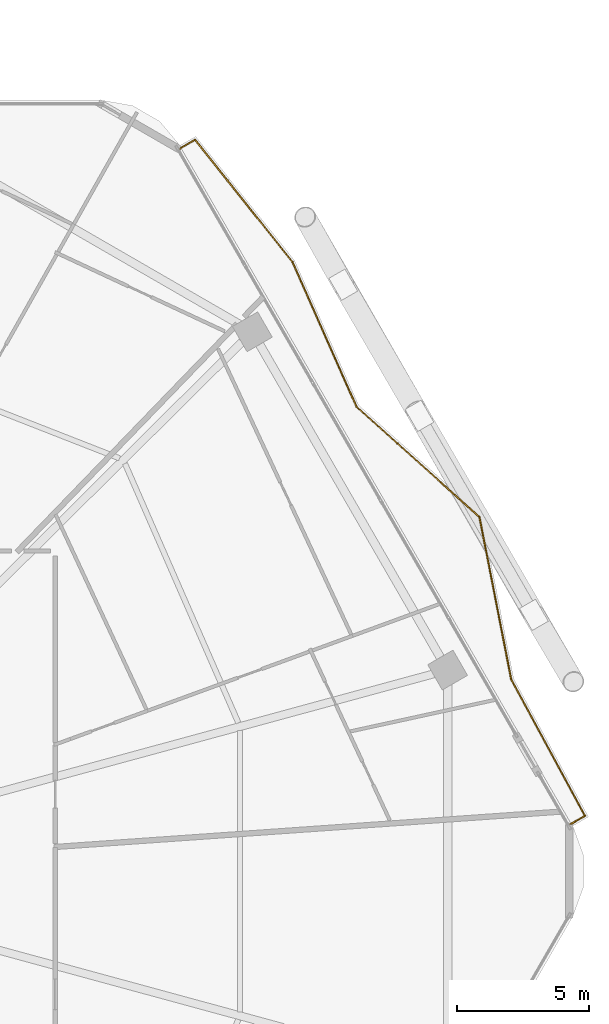
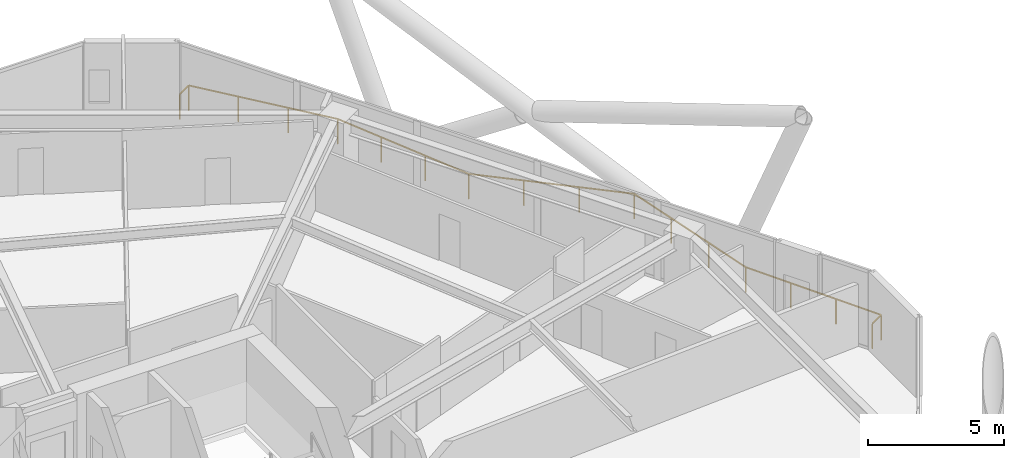
# One storey, part 34 of 34: 1 railing.
"""IFC4 building model written with IfcOpenShell, lengths in metres."""

from ifc_helpers import new_model, si_unit, direction, frame, origin, origin_2d, place, context, subcontext, project, spatial, rectangle, extrude, material, type_object, element, save


model = new_model("IFC4")

# Units and contexts
model_context = context("Model", 3, precision=1e-05, world=origin(), true_north=direction((0.0, 1.0)))
body_context = subcontext(model_context, "Body", "Model", "MODEL_VIEW")
ifc_project = project(units=[si_unit("LENGTHUNIT", "METRE"), si_unit("AREAUNIT", "SQUARE_METRE"), si_unit("VOLUMEUNIT", "CUBIC_METRE"), si_unit("PLANEANGLEUNIT", "RADIAN"), si_unit("MASSUNIT", "GRAM", prefix="KILO")], contexts=[model_context])

# Site, building, storey
site_placement = place(None, origin())
site = spatial("IfcSite", under=ifc_project, at=site_placement, CompositionType="ELEMENT")
building_placement = place(site_placement, origin())
building = spatial("IfcBuilding", under=site, at=building_placement, Name="Zuhravey Tower", CompositionType="ELEMENT")
storey_placement = place(building_placement, frame((0.0, 0.0, 100.0)))
storey = spatial("IfcBuildingStorey", under=building, at=storey_placement, Name="L24", CompositionType="ELEMENT", Elevation=100.0)

# Railing
ifc_material = material(Name="Stainless steel 316 and laminated glass", Category="steel")
railing_type = type_object("IfcRailingType", Name="Balcony & Terrace Guardrail 1150", PredefinedType="BALUSTRADE", material=ifc_material)
railing_placement = place(storey_placement, frame((53.7880859375, 59.27685546875, 0.0)))
element("IfcRailing", 1, at=railing_placement, inside=storey, type_object=railing_type, Name="L24 Face 1 Wave Balcony Guardrail GR1", PredefinedType="BALUSTRADE", context=body_context, shape_type="SweptSolid", body=[
    extrude(rectangle(XDim=0.048095703125, YDim=0.048095703125, at=origin_2d()), frame((0.001708984375, 0.0009765625, 1.1259765625), z_axis=(0.865936922628, 0.500153222552, 0.0), x_axis=(-0.500153222552, 0.865936922628, 0.0)), (0.0, 0.0, 1.0), 0.650146484375),
    extrude(rectangle(XDim=0.048095703125, YDim=0.048095703125, at=origin_2d()), frame((0.567626953125, 0.32568359375, 1.1259765625), z_axis=(0.623356744001, -0.781937574049, 0.0), x_axis=(0.781937574049, 0.623356744001, 0.0)), (0.0, 0.0, 1.0), 5.8955078125),
    extrude(rectangle(XDim=0.048095703125, YDim=0.048095703125, at=origin_2d()), frame((4.24462890625, -4.28759765625, 1.1259765625), z_axis=(0.404624984748, -0.914482707172, 0.0), x_axis=(0.914482707172, 0.404624984748, 0.0)), (0.0, 0.0, 1.0), 5.969970703125),
    extrude(rectangle(XDim=0.048095703125, YDim=0.048095703125, at=origin_2d()), frame((6.66259765625, -9.750244140625, 1.1259765625), z_axis=(0.744693696148, -0.667406397121, 0.0), x_axis=(0.667406397121, 0.744693696148, 0.0)), (0.0, 0.0, 1.0), 6.225341796875),
    extrude(rectangle(XDim=0.048095703125, YDim=0.048095703125, at=origin_2d()), frame((11.300537109375, -13.908447265625, 1.1259765625), z_axis=(0.191916769066, -0.98141120523, 0.0), x_axis=(0.98141120523, 0.191916769066, 0.0)), (0.0, 0.0, 1.0), 6.24853515625),
    extrude(rectangle(XDim=0.048095703125, YDim=0.048095703125, at=origin_2d()), frame((12.5009765625, -20.04443359375, 1.1259765625), z_axis=(0.475967260889, -0.879462998973, 0.0), x_axis=(0.879462998973, 0.475967260889, 0.0)), (0.0, 0.0, 1.0), 5.84765625),
    extrude(rectangle(XDim=0.048095703125, YDim=0.048095703125, at=origin_2d()), frame((15.283447265625, -25.18994140625, 1.1259765625), z_axis=(-0.8660843843, -0.499897828833, 0.0), x_axis=(0.499897828833, -0.8660843843, 0.0)), (0.0, 0.0, 1.0), 0.638671875),
    extrude(rectangle(XDim=0.0419921875, YDim=0.0419921875, at=origin_2d()), origin(), (0.0, 0.0, 1.0), 1.099853515625),
    extrude(rectangle(XDim=0.0419921875, YDim=0.0419921875, at=origin_2d()), frame((0.56640625, 0.3271484375, 0.0)), (0.0, 0.0, 1.0), 1.099853515625),
    extrude(rectangle(XDim=0.0419921875, YDim=0.0419921875, at=origin_2d()), frame((1.792236328125, -1.21044921875, 0.0)), (0.0, 0.0, 1.0), 1.099853515625),
    extrude(rectangle(XDim=0.0419921875, YDim=0.0419921875, at=origin_2d()), frame((3.01806640625, -2.748291015625, 0.0)), (0.0, 0.0, 1.0), 1.099853515625),
    extrude(rectangle(XDim=0.0419921875, YDim=0.0419921875, at=origin_2d()), frame((4.243896484375, -4.285888671875, 0.0)), (0.0, 0.0, 1.0), 1.099853515625),
    extrude(rectangle(XDim=0.0419921875, YDim=0.0419921875, at=origin_2d()), frame((5.049560546875, -6.10693359375, 0.0)), (0.0, 0.0, 1.0), 1.099853515625),
    extrude(rectangle(XDim=0.0419921875, YDim=0.0419921875, at=origin_2d()), frame((5.85546875, -7.927978515625, 0.0)), (0.0, 0.0, 1.0), 1.099853515625),
    extrude(rectangle(XDim=0.0419921875, YDim=0.0419921875, at=origin_2d()), frame((6.6611328125, -9.7490234375, 0.0)), (0.0, 0.0, 1.0), 1.099853515625),
    extrude(rectangle(XDim=0.0419921875, YDim=0.0419921875, at=origin_2d()), frame((8.20751953125, -11.134765625, 0.0)), (0.0, 0.0, 1.0), 1.099853515625),
    extrude(rectangle(XDim=0.0419921875, YDim=0.0419921875, at=origin_2d()), frame((9.753662109375, -12.520751953125, 0.0)), (0.0, 0.0, 1.0), 1.099853515625),
    extrude(rectangle(XDim=0.0419921875, YDim=0.0419921875, at=origin_2d()), frame((11.300048828125, -13.906494140625, 0.0)), (0.0, 0.0, 1.0), 1.099853515625),
    extrude(rectangle(XDim=0.0419921875, YDim=0.0419921875, at=origin_2d()), frame((11.699951171875, -15.951904296875, 0.0)), (0.0, 0.0, 1.0), 1.099853515625),
    extrude(rectangle(XDim=0.0419921875, YDim=0.0419921875, at=origin_2d()), frame((12.10009765625, -17.997314453125, 0.0)), (0.0, 0.0, 1.0), 1.099853515625),
    extrude(rectangle(XDim=0.0419921875, YDim=0.0419921875, at=origin_2d()), frame((12.5, -20.042724609375, 0.0)), (0.0, 0.0, 1.0), 1.099853515625),
    extrude(rectangle(XDim=0.0419921875, YDim=0.0419921875, at=origin_2d()), frame((13.428466796875, -21.758056640625, 0.0)), (0.0, 0.0, 1.0), 1.099853515625),
    extrude(rectangle(XDim=0.0419921875, YDim=0.0419921875, at=origin_2d()), frame((14.356689453125, -23.4736328125, 0.0)), (0.0, 0.0, 1.0), 1.099853515625),
    extrude(rectangle(XDim=0.0419921875, YDim=0.0419921875, at=origin_2d()), frame((15.28515625, -25.18896484375, 0.0)), (0.0, 0.0, 1.0), 1.099853515625),
    extrude(rectangle(XDim=0.0419921875, YDim=0.0419921875, at=origin_2d()), frame((14.728515625, -25.51025390625, 0.0)), (0.0, 0.0, 1.0), 1.099853515625),
])

save(model, "model.ifc")
